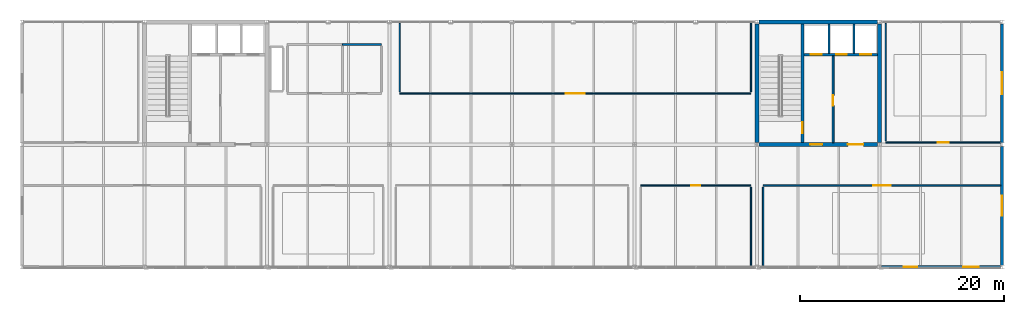
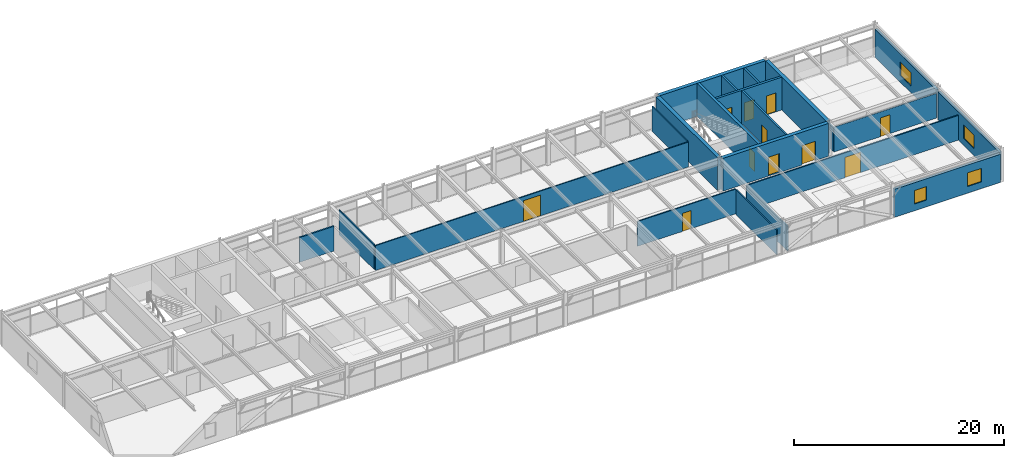
# One storey, part 37 of 40: 22 walls, 11 doors, 4 windows, 15 openings.
"""IFC4 building model written with IfcOpenShell, lengths in metres."""

from ifc_helpers import new_model, si_unit, direction, frame, frame_2d, origin, place, context, subcontext, project, spatial, rectangle, extrude, material, layer, layer_set, type_object, element, fill, save


model = new_model("IFC4")

# Units and contexts
model_context = context("Model", 3, precision=1e-05, world=origin(), true_north=direction((0.0, 1.0)))
body_context = subcontext(model_context, "Body", "Model", "MODEL_VIEW")
ifc_project = project(units=[si_unit("LENGTHUNIT", "METRE"), si_unit("AREAUNIT", "SQUARE_METRE"), si_unit("VOLUMEUNIT", "CUBIC_METRE"), si_unit("PLANEANGLEUNIT", "RADIAN"), si_unit("MASSUNIT", "GRAM", prefix="KILO")], contexts=[model_context])

# Site, building, storey
site_placement = place(None, origin())
site = spatial("IfcSite", under=ifc_project, at=site_placement, CompositionType="ELEMENT")
building_placement = place(site_placement, origin())
building = spatial("IfcBuilding", under=site, at=building_placement, Name="Girod Span Mobility Hub", CompositionType="ELEMENT")
storey_placement = place(building_placement, frame((0.0, 0.0, 53.60009765625)))
storey = spatial("IfcBuildingStorey", under=building, at=storey_placement, Name="L13", CompositionType="ELEMENT", Elevation=53.60009765625)

# Wall, openings, doors
ifc_material_1 = material(Name="Concrete C40/50", Category="concrete")
ifc_layer_1 = layer(ifc_material_1, 0.39990234375)
ifc_layer_set_1 = layer_set([ifc_layer_1], Name="Concrete C40/50")
wall_type_1 = type_object("IfcWallType", Name="W-CW-400", PredefinedType="SHEAR", material=ifc_layer_set_1)
wall_1_placement = place(storey_placement, frame((108.194091796875, 57.0, 0.0), z_axis=(0.0, 0.0, 1.0), x_axis=(1.0, 0.0, 0.0)))
wall_1 = element("IfcWall", 1, at=wall_1_placement, inside=storey, type_object=wall_type_1, Name="Core C2 Shear Wall S L13", PredefinedType="SHEAR", context=body_context, shape_type="SweptSolid", body=[
    extrude(rectangle(XDim=11.61181640625, YDim=0.39990234375, at=frame_2d((5.805908203125, 0.0))), origin(), (0.0, 0.0, 1.0), 3.81787109375),
])
opening_1_placement = place(wall_1_placement, frame((5.006103515625, 0.0, 0.0)))
opening_1 = element("IfcOpeningElement", 2, at=opening_1_placement, cuts=wall_1, Name="Opening D-FL-C2-L13", PredefinedType="OPENING", context=body_context, shape_type="SweptSolid", body=[
    extrude(rectangle(XDim=1.199951171875, YDim=2.199951171875, at=frame_2d((0.60009765625, 1.10009765625))), frame((0.0, 0.21484375, 0.0), z_axis=(0.0, -1.0, 0.0), x_axis=(1.0, 0.0, 0.0)), (0.0, 0.0, 1.0), 0.429931640625),
])
opening_2_placement = place(wall_1_placement, frame((8.7060546875, 0.0, 0.0)))
opening_2 = element("IfcOpeningElement", 3, at=opening_2_placement, cuts=wall_1, Name="Opening D-LB-C2-L13", PredefinedType="OPENING", context=body_context, shape_type="SweptSolid", body=[
    extrude(rectangle(XDim=1.5, YDim=2.25, at=frame_2d((0.75, 1.125))), frame((0.0, 0.21484375, 0.0), z_axis=(0.0, -1.0, 0.0), x_axis=(1.0, 0.0, 0.0)), (0.0, 0.0, 1.0), 0.429931640625),
])
ifc_material_2 = material(Name="Fire-Rated Insulated Hollow Metal Steel", Category="steel")
door_type_1 = type_object("IfcDoorType", Name="DT-FD-03", OperationType="DOUBLE_DOOR_SINGLE_SWING", PredefinedType="DOOR", material=ifc_material_2)
door_1_placement = place(opening_2_placement, origin())
door_1 = element("IfcDoor", 4, at=door_1_placement, inside=storey, type_object=door_type_1, Name="Lift Lobby Entry Door C2 L13", OperationType="DOUBLE_DOOR_SINGLE_SWING", OverallHeight=2.25, OverallWidth=1.5, PredefinedType="DOOR", context=body_context, shape_type="SweptSolid", body=[
    extrude(rectangle(XDim=1.5, YDim=2.25, at=frame_2d((0.75, 1.125))), frame((0.0, 0.02490234375, 0.0), z_axis=(0.0, -1.0, 0.0), x_axis=(1.0, 0.0, 0.0)), (0.0, 0.0, 1.0), 0.050048828125),
])
fill(opening_2, door_1)
ifc_material_3 = material(Name="Fire-Rated Insulated Hollow Metal Steel", Category="steel")
door_type_2 = type_object("IfcDoorType", Name="DT-FD-05", OperationType="NOTDEFINED", PredefinedType="DOOR", material=ifc_material_3)
door_2_placement = place(opening_1_placement, origin())
door_2 = element("IfcDoor", 5, at=door_2_placement, inside=storey, type_object=door_type_2, Name="Firefighting Lobby Entry Door C2 L13", OperationType="SINGLE_SWING_RIGHT", OverallHeight=2.199951171875, OverallWidth=1.199951171875, PredefinedType="DOOR", context=body_context, shape_type="SweptSolid", body=[
    extrude(rectangle(XDim=1.199951171875, YDim=2.199951171875, at=frame_2d((0.60009765625, 1.10009765625))), frame((0.0, 0.02490234375, 0.0), z_axis=(0.0, -1.0, 0.0), x_axis=(1.0, 0.0, 0.0)), (0.0, 0.0, 1.0), 0.050048828125),
])
fill(opening_1, door_2)

# Walls
wall_2_placement = place(storey_placement, frame((108.181396484375, 69.0, 0.0), z_axis=(0.0, 0.0, 1.0), x_axis=(1.0, 0.0, 0.0)))
element("IfcWall", 6, at=wall_2_placement, inside=storey, type_object=wall_type_1, Name="Core C2 Shear Wall N L13", PredefinedType="SHEAR", context=body_context, shape_type="SweptSolid", body=[
    extrude(rectangle(XDim=11.63720703125, YDim=0.39990234375, at=frame_2d((5.818603515625, 0.0))), origin(), (0.0, 0.0, 1.0), 3.81787109375),
])
for number, where, z_axis, x_axis, name in (
    (7, (108.0, 57.1845703125, 0.0), (0.0, 0.0, 1.0), (0.0, 1.0, 0.0), "Core C2 Shear Wall W L13"),
    (8, (120.0, 57.1845703125, 0.0), (0.0, 0.0, 1.0), (0.0, 1.0, 0.0), "Core C2 Shear Wall E L13"),
):
    element("IfcWall", number, at=place(storey_placement, frame(where, z_axis=z_axis, x_axis=x_axis)), inside=storey, type_object=wall_type_1, Name=name, PredefinedType="SHEAR", context=body_context, shape_type="SweptSolid", body=[
        extrude(rectangle(XDim=11.640380859375, YDim=0.39990234375, at=frame_2d((5.8203125, 0.0))), origin(), (0.0, 0.0, 1.0), 3.81787109375),
    ])

# Wall, openings, windows
ifc_material_4 = material(Name="Precast Architectural Concrete C40/50", Category="concrete")
ifc_layer_2 = layer(ifc_material_4, 0.27001953125)
ifc_layer_set_2 = layer_set([ifc_layer_2], Name="Precast Architectural Concrete C40/50")
wall_type_2 = type_object("IfcWallType", Name="W-EXT-270", PredefinedType="SOLIDWALL", material=ifc_layer_set_2)
wall_3_placement = place(storey_placement, frame((120.1826171875, 45.0, 0.0), z_axis=(0.0, 0.0, 1.0), x_axis=(1.0, 0.0, 0.0)))
wall_3 = element("IfcWall", 9, at=wall_3_placement, inside=storey, type_object=wall_type_2, Name="Office Insulated Facade Wall S-11 L13", PredefinedType="SOLIDWALL", context=body_context, shape_type="SweptSolid", body=[
    extrude(rectangle(XDim=11.634765625, YDim=0.27001953125, at=frame_2d((5.8173828125, 0.0))), origin(), (0.0, 0.0, 1.0), 3.27099609375),
])
opening_3_placement = place(wall_3_placement, frame((2.179931640625, 0.0, 0.780029296875)))
opening_3 = element("IfcOpeningElement", 10, at=opening_3_placement, cuts=wall_3, Name="Opening W-L13-S10A", PredefinedType="OPENING", context=body_context, shape_type="SweptSolid", body=[
    extrude(rectangle(XDim=1.340087890625, YDim=1.580078125, at=frame_2d((0.669921875, 0.7900390625))), frame((0.0, 0.14990234375, 0.0), z_axis=(0.0, -1.0, 0.0), x_axis=(1.0, 0.0, 0.0)), (0.0, 0.0, 1.0), 0.300048828125),
])
opening_4_placement = place(wall_3_placement, frame((8.034912109375, 0.0, 0.780029296875)))
opening_4 = element("IfcOpeningElement", 11, at=opening_4_placement, cuts=wall_3, Name="Opening W-L13-S10B", PredefinedType="OPENING", context=body_context, shape_type="SweptSolid", body=[
    extrude(rectangle(XDim=1.5, YDim=1.580078125, at=frame_2d((0.75, 0.7900390625))), frame((0.0, 0.14990234375, 0.0), z_axis=(0.0, -1.0, 0.0), x_axis=(1.0, 0.0, 0.0)), (0.0, 0.0, 1.0), 0.300048828125),
])
ifc_material_5 = material(Name="Double Low-E Insulated Glazing", Category="glass")
window_type_1 = type_object("IfcWindowType", Name="WN-22", PartitioningType="SINGLE_PANEL", PredefinedType="WINDOW", material=ifc_material_5)
window_1_placement = place(opening_3_placement, origin())
window_1 = element("IfcWindow", 12, at=window_1_placement, inside=storey, type_object=window_type_1, Name="Office Window WN-22", OverallHeight=1.580078125, OverallWidth=1.340087890625, PartitioningType="SINGLE_PANEL", PredefinedType="WINDOW", context=body_context, shape_type="SweptSolid", body=[
    extrude(rectangle(XDim=1.340087890625, YDim=1.580078125, at=frame_2d((0.669921875, 0.7900390625))), frame((0.0, 0.030029296875, 0.0), z_axis=(0.0, -1.0, 0.0), x_axis=(1.0, 0.0, 0.0)), (0.0, 0.0, 1.0), 0.06005859375),
])
fill(opening_3, window_1)
ifc_material_6 = material(Name="Double Low-E Insulated Glazing", Category="glass")
window_type_2 = type_object("IfcWindowType", Name="WN-23", PartitioningType="SINGLE_PANEL", PredefinedType="WINDOW", material=ifc_material_6)
window_2_placement = place(opening_4_placement, origin())
window_2 = element("IfcWindow", 13, at=window_2_placement, inside=storey, type_object=window_type_2, Name="Office Window WN-23", OverallHeight=1.580078125, OverallWidth=1.5, PartitioningType="SINGLE_PANEL", PredefinedType="WINDOW", context=body_context, shape_type="SweptSolid", body=[
    extrude(rectangle(XDim=1.5, YDim=1.580078125, at=frame_2d((0.75, 0.7900390625))), frame((0.0, 0.030029296875, 0.0), z_axis=(0.0, -1.0, 0.0), x_axis=(1.0, 0.0, 0.0)), (0.0, 0.0, 1.0), 0.06005859375),
])
fill(opening_4, window_2)

# Wall, opening, window
wall_4_placement = place(storey_placement, frame((132.0, 45.176025390625, 0.0), z_axis=(0.0, 0.0, 1.0), x_axis=(0.0, 1.0, 0.0)))
wall_4 = element("IfcWall", 14, at=wall_4_placement, inside=storey, type_object=wall_type_2, Name="End Facade Insulated Wall E-D L13", PredefinedType="SOLIDWALL", context=body_context, shape_type="SweptSolid", body=[
    extrude(rectangle(XDim=11.64794921875, YDim=0.27001953125, at=frame_2d((5.823974609375, 0.0))), origin(), (0.0, 0.0, 1.0), 3.27099609375),
])
opening_5_placement = place(wall_4_placement, frame((4.833984375, 0.0, 0.780029296875)))
opening_5 = element("IfcOpeningElement", 15, at=opening_5_placement, cuts=wall_4, Name="Opening W-L13-E3", PredefinedType="OPENING", context=body_context, shape_type="SweptSolid", body=[
    extrude(rectangle(XDim=1.97998046875, YDim=1.580078125, at=frame_2d((0.989990234375, 0.7900390625))), frame((0.0, 0.14990234375, 0.0), z_axis=(0.0, -1.0, 0.0), x_axis=(1.0, 0.0, 0.0)), (0.0, 0.0, 1.0), 0.300048828125),
])
ifc_material_7 = material(Name="Double Low-E Insulated Glazing", Category="glass")
window_type_3 = type_object("IfcWindowType", Name="WN-26", PartitioningType="DOUBLE_PANEL_VERTICAL", PredefinedType="WINDOW", material=ifc_material_7)
window_3_placement = place(opening_5_placement, origin())
window_3 = element("IfcWindow", 16, at=window_3_placement, inside=storey, type_object=window_type_3, Name="End Office Window WN-26", OverallHeight=1.580078125, OverallWidth=1.97998046875, PartitioningType="DOUBLE_PANEL_VERTICAL", PredefinedType="WINDOW", context=body_context, shape_type="SweptSolid", body=[
    extrude(rectangle(XDim=1.97998046875, YDim=1.580078125, at=frame_2d((0.989990234375, 0.7900390625))), frame((0.0, 0.030029296875, 0.0), z_axis=(0.0, -1.0, 0.0), x_axis=(1.0, 0.0, 0.0)), (0.0, 0.0, 1.0), 0.06005859375),
])
fill(opening_5, window_3)

wall_5_placement = place(storey_placement, frame((132.0, 57.176025390625, 0.0), z_axis=(0.0, 0.0, 1.0), x_axis=(0.0, 1.0, 0.0)))
wall_5 = element("IfcWall", 17, at=wall_5_placement, inside=storey, type_object=wall_type_2, Name="End Facade Insulated Wall E-E L13", PredefinedType="SOLIDWALL", context=body_context, shape_type="SweptSolid", body=[
    extrude(rectangle(XDim=11.64794921875, YDim=0.27001953125, at=frame_2d((5.823974609375, 0.0))), origin(), (0.0, 0.0, 1.0), 3.27099609375),
])
opening_6_placement = place(wall_5_placement, frame((4.75390625, 0.0, 0.780029296875)))
opening_6 = element("IfcOpeningElement", 18, at=opening_6_placement, cuts=wall_5, Name="Opening W-L13-E4", PredefinedType="OPENING", context=body_context, shape_type="SweptSolid", body=[
    extrude(rectangle(XDim=2.139892578125, YDim=1.580078125, at=frame_2d((1.06982421875, 0.7900390625))), frame((0.0, 0.14990234375, 0.0), z_axis=(0.0, -1.0, 0.0), x_axis=(1.0, 0.0, 0.0)), (0.0, 0.0, 1.0), 0.300048828125),
])
ifc_material_8 = material(Name="Double Low-E Insulated Glazing", Category="glass")
window_type_4 = type_object("IfcWindowType", Name="WN-27", PartitioningType="DOUBLE_PANEL_VERTICAL", PredefinedType="WINDOW", material=ifc_material_8)
window_4_placement = place(opening_6_placement, origin())
window_4 = element("IfcWindow", 19, at=window_4_placement, inside=storey, type_object=window_type_4, Name="End Office Window WN-27", OverallHeight=1.580078125, OverallWidth=2.139892578125, PartitioningType="DOUBLE_PANEL_VERTICAL", PredefinedType="WINDOW", context=body_context, shape_type="SweptSolid", body=[
    extrude(rectangle(XDim=2.139892578125, YDim=1.580078125, at=frame_2d((1.06982421875, 0.7900390625))), frame((0.0, 0.030029296875, 0.0), z_axis=(0.0, -1.0, 0.0), x_axis=(1.0, 0.0, 0.0)), (0.0, 0.0, 1.0), 0.06005859375),
])
fill(opening_6, window_4)

# Wall, opening, door
ifc_material_9 = material(Name="Concrete C40/50", Category="concrete")
ifc_layer_3 = layer(ifc_material_9, 0.18994140625)
ifc_layer_set_3 = layer_set([ifc_layer_3], Name="Concrete C40/50")
wall_type_3 = type_object("IfcWallType", Name="W-FL-190", PredefinedType="SOLIDWALL", material=ifc_layer_set_3)
wall_6_placement = place(storey_placement, frame((115.449951171875, 57.199951171875, 0.0), z_axis=(0.0, 0.0, 1.0), x_axis=(0.0, 1.0, 0.0)))
wall_6 = element("IfcWall", 20, at=wall_6_placement, inside=storey, type_object=wall_type_3, Name="Core C2 Firefighting Lobby Wall L13", PredefinedType="SOLIDWALL", context=body_context, shape_type="SweptSolid", body=[
    extrude(rectangle(XDim=8.47998046875, YDim=0.18994140625, at=frame_2d((4.239990234375, 0.0))), origin(), (0.0, 0.0, 1.0), 3.807861328125),
])
opening_7_placement = place(wall_6_placement, frame((3.60009765625, 0.0, 0.0)))
opening_7 = element("IfcOpeningElement", 21, at=opening_7_placement, cuts=wall_6, Name="Opening D-FLX-C2-L13", PredefinedType="OPENING", context=body_context, shape_type="SweptSolid", body=[
    extrude(rectangle(XDim=1.0400390625, YDim=2.179931640625, at=frame_2d((0.52001953125, 1.08984375))), frame((0.0, 0.10986328125, 0.0), z_axis=(0.0, -1.0, 0.0), x_axis=(1.0, 0.0, 0.0)), (0.0, 0.0, 1.0), 0.219970703125),
])
ifc_material_10 = material(Name="Fire-Rated Insulated Hollow Metal Steel", Category="steel")
door_type_3 = type_object("IfcDoorType", Name="DT-FD-02", OperationType="NOTDEFINED", PredefinedType="DOOR", material=ifc_material_10)
door_3_placement = place(opening_7_placement, origin())
door_3 = element("IfcDoor", 22, at=door_3_placement, inside=storey, type_object=door_type_3, Name="Firefighting Lobby Interconnect Door C2 L13", OperationType="SINGLE_SWING_RIGHT", OverallHeight=2.179931640625, OverallWidth=1.0400390625, PredefinedType="DOOR", context=body_context, shape_type="SweptSolid", body=[
    extrude(rectangle(XDim=1.0400390625, YDim=2.179931640625, at=frame_2d((0.52001953125, 1.08984375))), frame((0.0, 0.02490234375, 0.0), z_axis=(0.0, -1.0, 0.0), x_axis=(1.0, 0.0, 0.0)), (0.0, 0.0, 1.0), 0.050048828125),
])
fill(opening_7, door_3)

# Wall
ifc_material_11 = material(Name="Fire-Rated Gypsum Board on Metal Studs", Category="gypsum")
ifc_layer_4 = layer(ifc_material_11, 0.155029296875)
ifc_layer_set_4 = layer_set([ifc_layer_4], Name="Fire-Rated Gypsum Board on Metal Studs")
wall_type_4 = type_object("IfcWallType", Name="W-PLB-155", PredefinedType="PLUMBINGWALL", material=ifc_layer_set_4)
wall_7_placement = place(storey_placement, frame((67.39990234375, 66.800048828125, 0.0), z_axis=(0.0, 0.0, 1.0), x_axis=(1.0, 0.0, 0.0)))
element("IfcWall", 23, at=wall_7_placement, inside=storey, type_object=wall_type_4, Name="Accessible WC L13 Partition N", PredefinedType="PLUMBINGWALL", context=body_context, shape_type="SweptSolid", body=[
    extrude(rectangle(XDim=3.800048828125, YDim=0.155029296875, at=frame_2d((1.89990234375, 0.0))), origin(), (0.0, 0.0, 1.0), 2.8798828125),
])

# Wall, opening, door
ifc_material_12 = material(Name="Fire-Rated Gypsum Board on Metal Studs", Category="gypsum")
ifc_layer_5 = layer(ifc_material_12, 0.114990234375)
ifc_layer_set_5 = layer_set([ifc_layer_5], Name="Fire-Rated Gypsum Board on Metal Studs")
wall_type_5 = type_object("IfcWallType", Name="W-PT-115", PredefinedType="PARTITIONING", material=ifc_layer_set_5)
wall_8_placement = place(storey_placement, frame((73.0, 62.0, 0.0), z_axis=(0.0, 0.0, 1.0), x_axis=(1.0, 0.0, 0.0)))
wall_8 = element("IfcWall", 24, at=wall_8_placement, inside=storey, type_object=wall_type_5, Name="Open Office North L13 Partition S", PredefinedType="PARTITIONING", context=body_context, shape_type="SweptSolid", body=[
    extrude(rectangle(XDim=34.39990234375, YDim=0.114990234375, at=frame_2d((17.199951171875, 0.0))), origin(), (0.0, 0.0, 1.0), 2.8798828125),
])
opening_8_placement = place(wall_8_placement, frame((16.27001953125, 0.0, 0.0)))
opening_8 = element("IfcOpeningElement", 25, at=opening_8_placement, cuts=wall_8, Name="Opening D-L13-OFF-MNC", PredefinedType="OPENING", context=body_context, shape_type="SweptSolid", body=[
    extrude(rectangle(XDim=1.860107421875, YDim=2.409912109375, at=frame_2d((0.93017578125, 1.205078125))), frame((0.0, 0.072509765625, 0.0), z_axis=(0.0, -1.0, 0.0), x_axis=(1.0, 0.0, 0.0)), (0.0, 0.0, 1.0), 0.14501953125),
])
ifc_material_13 = material(Name="Solid-Core Architectural Timber", Category="wood")
door_type_4 = type_object("IfcDoorType", Name="DT-NR-19", OperationType="DOUBLE_DOOR_SINGLE_SWING", PredefinedType="DOOR", material=ifc_material_13)
door_4_placement = place(opening_8_placement, origin())
door_4 = element("IfcDoor", 26, at=door_4_placement, inside=storey, type_object=door_type_4, Name="Open Office North L13 Door", OperationType="DOUBLE_DOOR_SINGLE_SWING", OverallHeight=2.409912109375, OverallWidth=1.860107421875, PredefinedType="DOOR", context=body_context, shape_type="SweptSolid", body=[
    extrude(rectangle(XDim=1.860107421875, YDim=2.409912109375, at=frame_2d((0.93017578125, 1.205078125))), frame((0.0, 0.02490234375, 0.0), z_axis=(0.0, -1.0, 0.0), x_axis=(1.0, 0.0, 0.0)), (0.0, 0.0, 1.0), 0.050048828125),
])
fill(opening_8, door_4)

# Walls
for number, where, z_axis, x_axis, name in (
    (27, (73.0, 62.159912109375, 0.0), (0.0, 0.0, 1.0), (0.0, 1.0, 0.0), "Open Office North L13 Partition W"),
    (28, (107.39990234375, 62.159912109375, 0.0), (0.0, 0.0, 1.0), (0.0, 1.0, 0.0), "Open Office North L13 Partition E"),
):
    element("IfcWall", number, at=place(storey_placement, frame(where, z_axis=z_axis, x_axis=x_axis)), inside=storey, type_object=wall_type_5, Name=name, PredefinedType="PARTITIONING", context=body_context, shape_type="SweptSolid", body=[
        extrude(rectangle(XDim=6.7001953125, YDim=0.114990234375, at=frame_2d((3.35009765625, 0.0))), origin(), (0.0, 0.0, 1.0), 2.8798828125),
    ])

# Wall, opening, door
wall_9_placement = place(storey_placement, frame((120.60009765625, 57.199951171875, 0.0), z_axis=(0.0, 0.0, 1.0), x_axis=(1.0, 0.0, 0.0)))
wall_9 = element("IfcWall", 29, at=wall_9_placement, inside=storey, type_object=wall_type_5, Name="Planning Studio North East L13 Partition S", PredefinedType="PARTITIONING", context=body_context, shape_type="SweptSolid", body=[
    extrude(rectangle(XDim=11.260009765625, YDim=0.114990234375, at=frame_2d((5.6298828125, 0.0))), origin(), (0.0, 0.0, 1.0), 2.8798828125),
])
opening_9_placement = place(wall_9_placement, frame((5.094970703125, 0.0, 0.0)))
opening_9 = element("IfcOpeningElement", 30, at=opening_9_placement, cuts=wall_9, Name="Opening D-L13-OFF-MNE", PredefinedType="OPENING", context=body_context, shape_type="SweptSolid", body=[
    extrude(rectangle(XDim=1.070068359375, YDim=2.18994140625, at=frame_2d((0.53515625, 1.094970703125))), frame((0.0, 0.072509765625, 0.0), z_axis=(0.0, -1.0, 0.0), x_axis=(1.0, 0.0, 0.0)), (0.0, 0.0, 1.0), 0.14501953125),
])
ifc_material_14 = material(Name="Solid-Core Architectural Timber", Category="wood")
door_type_5 = type_object("IfcDoorType", Name="DT-NR-05", OperationType="NOTDEFINED", PredefinedType="DOOR", material=ifc_material_14)
door_5_placement = place(opening_9_placement, origin())
door_5 = element("IfcDoor", 31, at=door_5_placement, inside=storey, type_object=door_type_5, Name="Planning Studio North East L13 Door", OperationType="SINGLE_SWING_LEFT", OverallHeight=2.18994140625, OverallWidth=1.070068359375, PredefinedType="DOOR", context=body_context, shape_type="SweptSolid", body=[
    extrude(rectangle(XDim=1.070068359375, YDim=2.18994140625, at=frame_2d((0.53515625, 1.094970703125))), frame((0.0, 0.02490234375, 0.0), z_axis=(0.0, -1.0, 0.0), x_axis=(1.0, 0.0, 0.0)), (0.0, 0.0, 1.0), 0.050048828125),
])
fill(opening_9, door_5)

# Wall
wall_10_placement = place(storey_placement, frame((120.60009765625, 57.360107421875, 0.0), z_axis=(0.0, 0.0, 1.0), x_axis=(0.0, 1.0, 0.0)))
element("IfcWall", 32, at=wall_10_placement, inside=storey, type_object=wall_type_5, Name="Planning Studio North East L13 Partition W", PredefinedType="PARTITIONING", context=body_context, shape_type="SweptSolid", body=[
    extrude(rectangle(XDim=11.5, YDim=0.114990234375, at=frame_2d((5.75, 0.0))), origin(), (0.0, 0.0, 1.0), 2.8798828125),
])

# Wall, opening, door
ifc_material_15 = material(Name="Fire-Rated Gypsum Board on Metal Studs", Category="gypsum")
ifc_layer_6 = layer(ifc_material_15, 0.125)
ifc_layer_set_6 = layer_set([ifc_layer_6], Name="Fire-Rated Gypsum Board on Metal Studs")
wall_type_6 = type_object("IfcWallType", Name="W-PT-125", PredefinedType="PARTITIONING", material=ifc_layer_set_6)
wall_11_placement = place(storey_placement, frame((96.60009765625, 53.0, 0.0), z_axis=(0.0, 0.0, 1.0), x_axis=(1.0, 0.0, 0.0)))
wall_11 = element("IfcWall", 33, at=wall_11_placement, inside=storey, type_object=wall_type_6, Name="Office Suite Terrace Portal East L13 Partition N", PredefinedType="PARTITIONING", context=body_context, shape_type="SweptSolid", body=[
    extrude(rectangle(XDim=10.7998046875, YDim=0.125, at=frame_2d((5.39990234375, 0.0))), origin(), (0.0, 0.0, 1.0), 2.8798828125),
])
opening_10_placement = place(wall_11_placement, frame((4.93994140625, 0.0, 0.0)))
opening_10 = element("IfcOpeningElement", 34, at=opening_10_placement, cuts=wall_11, Name="Opening D-L13-TERR-LGE", PredefinedType="OPENING", context=body_context, shape_type="SweptSolid", body=[
    extrude(rectangle(XDim=0.919921875, YDim=2.10009765625, at=frame_2d((0.4599609375, 1.050048828125))), frame((0.0, 0.077392578125, 0.0), z_axis=(0.0, -1.0, 0.0), x_axis=(1.0, 0.0, 0.0)), (0.0, 0.0, 1.0), 0.155029296875),
])
ifc_material_16 = material(Name="Solid-Core Architectural Timber", Category="wood")
door_type_6 = type_object("IfcDoorType", Name="DT-NR-01", OperationType="NOTDEFINED", PredefinedType="DOOR", material=ifc_material_16)
door_6_placement = place(opening_10_placement, origin())
door_6 = element("IfcDoor", 35, at=door_6_placement, inside=storey, type_object=door_type_6, Name="Office Suite Terrace Portal East L13 Door", OperationType="SINGLE_SWING_LEFT", OverallHeight=2.10009765625, OverallWidth=0.919921875, PredefinedType="DOOR", context=body_context, shape_type="SweptSolid", body=[
    extrude(rectangle(XDim=0.919921875, YDim=2.10009765625, at=frame_2d((0.4599609375, 1.050048828125))), frame((0.0, 0.02490234375, 0.0), z_axis=(0.0, -1.0, 0.0), x_axis=(1.0, 0.0, 0.0)), (0.0, 0.0, 1.0), 0.050048828125),
])
fill(opening_10, door_6)

# Wall
wall_12_placement = place(storey_placement, frame((107.39990234375, 45.139892578125, 0.0), z_axis=(0.0, 0.0, 1.0), x_axis=(0.0, 1.0, 0.0)))
element("IfcWall", 36, at=wall_12_placement, inside=storey, type_object=wall_type_6, Name="Office Suite Terrace Portal East L13 Partition E", PredefinedType="PARTITIONING", context=body_context, shape_type="SweptSolid", body=[
    extrude(rectangle(XDim=7.7001953125, YDim=0.125, at=frame_2d((3.85009765625, 0.0))), origin(), (0.0, 0.0, 1.0), 2.8798828125),
])

# Wall, opening, door
ifc_material_17 = material(Name="Fire-Rated Gypsum Board on Metal Studs", Category="gypsum")
ifc_layer_7 = layer(ifc_material_17, 0.139892578125)
ifc_layer_set_7 = layer_set([ifc_layer_7], Name="Fire-Rated Gypsum Board on Metal Studs")
wall_type_7 = type_object("IfcWallType", Name="W-PT-140", PredefinedType="PARTITIONING", material=ifc_layer_set_7)
wall_13_placement = place(storey_placement, frame((108.60009765625, 53.0, 0.0), z_axis=(0.0, 0.0, 1.0), x_axis=(1.0, 0.0, 0.0)))
wall_13 = element("IfcWall", 37, at=wall_13_placement, inside=storey, type_object=wall_type_7, Name="Office Suite East L13 Partition N", PredefinedType="PARTITIONING", context=body_context, shape_type="SweptSolid", body=[
    extrude(rectangle(XDim=23.260009765625, YDim=0.139892578125, at=frame_2d((11.6298828125, 0.0))), origin(), (0.0, 0.0, 1.0), 2.8798828125),
])
opening_11_placement = place(wall_13_placement, frame((10.764892578125, 0.0, 0.0)))
opening_11 = element("IfcOpeningElement", 38, at=opening_11_placement, cuts=wall_13, Name="Opening D-L13-OFF-ME", PredefinedType="OPENING", context=body_context, shape_type="SweptSolid", body=[
    extrude(rectangle(XDim=1.72998046875, YDim=2.3701171875, at=frame_2d((0.864990234375, 1.18505859375))), frame((0.0, 0.0849609375, 0.0), z_axis=(0.0, -1.0, 0.0), x_axis=(1.0, 0.0, 0.0)), (0.0, 0.0, 1.0), 0.169921875),
])
ifc_material_18 = material(Name="Solid-Core Architectural Timber", Category="wood")
door_type_7 = type_object("IfcDoorType", Name="DT-NR-17", OperationType="DOUBLE_DOOR_SINGLE_SWING", PredefinedType="DOOR", material=ifc_material_18)
door_7_placement = place(opening_11_placement, origin())
door_7 = element("IfcDoor", 39, at=door_7_placement, inside=storey, type_object=door_type_7, Name="Office Suite East L13 Door", OperationType="DOUBLE_DOOR_SINGLE_SWING", OverallHeight=2.3701171875, OverallWidth=1.72998046875, PredefinedType="DOOR", context=body_context, shape_type="SweptSolid", body=[
    extrude(rectangle(XDim=1.72998046875, YDim=2.3701171875, at=frame_2d((0.864990234375, 1.18505859375))), frame((0.0, 0.02490234375, 0.0), z_axis=(0.0, -1.0, 0.0), x_axis=(1.0, 0.0, 0.0)), (0.0, 0.0, 1.0), 0.050048828125),
])
fill(opening_11, door_7)

# Walls
wall_14_placement = place(storey_placement, frame((108.60009765625, 45.139892578125, 0.0), z_axis=(0.0, 0.0, 1.0), x_axis=(0.0, 1.0, 0.0)))
element("IfcWall", 40, at=wall_14_placement, inside=storey, type_object=wall_type_7, Name="Office Suite East L13 Partition W", PredefinedType="PARTITIONING", context=body_context, shape_type="SweptSolid", body=[
    extrude(rectangle(XDim=7.7001953125, YDim=0.139892578125, at=frame_2d((3.85009765625, 0.0))), origin(), (0.0, 0.0, 1.0), 2.8798828125),
])
ifc_material_19 = material(Name="Concrete C40/50", Category="concrete")
ifc_layer_8 = layer(ifc_material_19, 0.199951171875)
ifc_layer_set_8 = layer_set([ifc_layer_8], Name="Concrete C40/50")
wall_type_8 = type_object("IfcWallType", Name="W-SH-200", PredefinedType="SOLIDWALL", material=ifc_layer_set_8)
for number, where, z_axis, x_axis, name in (
    (41, (115.050048828125, 65.919921875, 0.0), (0.0, 0.0, 1.0), (0.0, 1.0, 0.0), "Core C2 Shaft Divider 1 L13"),
    (42, (117.47998046875, 65.919921875, 0.0), (0.0, 0.0, 1.0), (0.0, 1.0, 0.0), "Core C2 Shaft Divider 2 L13"),
):
    element("IfcWall", number, at=place(storey_placement, frame(where, z_axis=z_axis, x_axis=x_axis)), inside=storey, type_object=wall_type_8, Name=name, PredefinedType="SOLIDWALL", context=body_context, shape_type="SweptSolid", body=[
        extrude(rectangle(XDim=2.880126953125, YDim=0.199951171875, at=frame_2d((1.43994140625, 0.0))), origin(), (0.0, 0.0, 1.0), 3.807861328125),
    ])

# Wall, openings, doors
ifc_material_20 = material(Name="Concrete C40/50", Category="concrete")
ifc_layer_9 = layer(ifc_material_20, 0.25)
ifc_layer_set_9 = layer_set([ifc_layer_9], Name="Concrete C40/50")
wall_type_9 = type_object("IfcWallType", Name="W-SH-250", PredefinedType="SOLIDWALL", material=ifc_layer_set_9)
wall_15_placement = place(storey_placement, frame((112.596923828125, 65.800048828125, 0.0), z_axis=(0.0, 0.0, 1.0), x_axis=(1.0, 0.0, 0.0)))
wall_15 = element("IfcWall", 43, at=wall_15_placement, inside=storey, type_object=wall_type_9, Name="Core C2 Hoistway Front Wall L13", PredefinedType="SOLIDWALL", context=body_context, shape_type="SweptSolid", body=[
    extrude(rectangle(XDim=7.2060546875, YDim=0.25, at=frame_2d((3.60302734375, 0.0))), origin(), (0.0, 0.0, 1.0), 3.81787109375),
])
opening_12_placement = place(wall_15_placement, frame((0.653076171875, 0.0, 0.0)))
opening_12 = element("IfcOpeningElement", 44, at=opening_12_placement, cuts=wall_15, Name="Opening LD-FL-2-L13", PredefinedType="OPENING", context=body_context, shape_type="SweptSolid", body=[
    extrude(rectangle(XDim=1.10009765625, YDim=2.239990234375, at=frame_2d((0.550048828125, 1.1201171875))), frame((0.0, 0.139892578125, 0.0), z_axis=(0.0, -1.0, 0.0), x_axis=(1.0, 0.0, 0.0)), (0.0, 0.0, 1.0), 0.280029296875),
])
opening_13_placement = place(wall_15_placement, frame((3.153076171875, 0.0, 0.0)))
opening_13 = element("IfcOpeningElement", 45, at=opening_13_placement, cuts=wall_15, Name="Opening LD-LP-3-L13", PredefinedType="OPENING", context=body_context, shape_type="SweptSolid", body=[
    extrude(rectangle(XDim=1.050048828125, YDim=2.199951171875, at=frame_2d((0.52490234375, 1.10009765625))), frame((0.0, 0.139892578125, 0.0), z_axis=(0.0, -1.0, 0.0), x_axis=(1.0, 0.0, 0.0)), (0.0, 0.0, 1.0), 0.280029296875),
])
opening_14_placement = place(wall_15_placement, frame((5.528076171875, 0.0, 0.0)))
opening_14 = element("IfcOpeningElement", 46, at=opening_14_placement, cuts=wall_15, Name="Opening LD-LP-4-L13", PredefinedType="OPENING", context=body_context, shape_type="SweptSolid", body=[
    extrude(rectangle(XDim=1.050048828125, YDim=2.199951171875, at=frame_2d((0.52490234375, 1.10009765625))), frame((0.0, 0.139892578125, 0.0), z_axis=(0.0, -1.0, 0.0), x_axis=(1.0, 0.0, 0.0)), (0.0, 0.0, 1.0), 0.280029296875),
])
ifc_material_21 = material(Name="Brushed Stainless Steel Grade 304", Category="steel")
door_type_8 = type_object("IfcDoorType", Name="LD-FL-110", OperationType="SLIDING_TO_LEFT", PredefinedType="USERDEFINED", material=ifc_material_21)
door_8_placement = place(opening_12_placement, origin())
door_8 = element("IfcDoor", 47, at=door_8_placement, inside=storey, type_object=door_type_8, Name="Lift FL-2 Sliding Landing Door L13", ObjectType="LANDING DOOR", OperationType="SLIDING_TO_LEFT", OverallHeight=2.239990234375, OverallWidth=1.10009765625, PredefinedType="USERDEFINED", context=body_context, shape_type="SweptSolid", body=[
    extrude(rectangle(XDim=1.10009765625, YDim=2.239990234375, at=frame_2d((0.550048828125, 1.1201171875))), frame((0.0, 0.02490234375, 0.0), z_axis=(0.0, -1.0, 0.0), x_axis=(1.0, 0.0, 0.0)), (0.0, 0.0, 1.0), 0.050048828125),
])
fill(opening_12, door_8)
ifc_material_22 = material(Name="Brushed Stainless Steel Grade 304", Category="steel")
door_type_9 = type_object("IfcDoorType", Name="LD-LP-105", OperationType="SLIDING_TO_LEFT", PredefinedType="USERDEFINED", material=ifc_material_22)
door_9_placement = place(opening_13_placement, origin())
door_9 = element("IfcDoor", 48, at=door_9_placement, inside=storey, type_object=door_type_9, Name="Lift LP-3 Sliding Landing Door L13", ObjectType="LANDING DOOR", OperationType="SLIDING_TO_LEFT", OverallHeight=2.199951171875, OverallWidth=1.050048828125, PredefinedType="USERDEFINED", context=body_context, shape_type="SweptSolid", body=[
    extrude(rectangle(XDim=1.050048828125, YDim=2.199951171875, at=frame_2d((0.52490234375, 1.10009765625))), frame((0.0, 0.02490234375, 0.0), z_axis=(0.0, -1.0, 0.0), x_axis=(1.0, 0.0, 0.0)), (0.0, 0.0, 1.0), 0.050048828125),
])
fill(opening_13, door_9)
door_10_placement = place(opening_14_placement, origin())
door_10 = element("IfcDoor", 49, at=door_10_placement, inside=storey, type_object=door_type_9, Name="Lift LP-4 Sliding Landing Door L13", ObjectType="LANDING DOOR", OperationType="SLIDING_TO_LEFT", OverallHeight=2.199951171875, OverallWidth=1.050048828125, PredefinedType="USERDEFINED", context=body_context, shape_type="SweptSolid", body=[
    extrude(rectangle(XDim=1.050048828125, YDim=2.199951171875, at=frame_2d((0.52490234375, 1.10009765625))), frame((0.0, 0.02490234375, 0.0), z_axis=(0.0, -1.0, 0.0), x_axis=(1.0, 0.0, 0.0)), (0.0, 0.0, 1.0), 0.050048828125),
])
fill(opening_14, door_10)

# Wall, opening, door
ifc_material_23 = material(Name="Concrete C40/50", Category="concrete")
ifc_layer_10 = layer(ifc_material_23, 0.300048828125)
ifc_layer_set_10 = layer_set([ifc_layer_10], Name="Concrete C40/50")
wall_type_10 = type_object("IfcWallType", Name="W-SH-300", PredefinedType="SHEAR", material=ifc_layer_set_10)
wall_16_placement = place(storey_placement, frame((112.449951171875, 57.197021484375, 0.0), z_axis=(0.0, 0.0, 1.0), x_axis=(0.0, 1.0, 0.0)))
wall_16 = element("IfcWall", 50, at=wall_16_placement, inside=storey, type_object=wall_type_10, Name="Core C2 Stairwell Spine Wall L13", PredefinedType="SHEAR", context=body_context, shape_type="SweptSolid", body=[
    extrude(rectangle(XDim=11.60595703125, YDim=0.300048828125, at=frame_2d((5.802978515625, 0.0))), origin(), (0.0, 0.0, 1.0), 3.81787109375),
])
opening_15_placement = place(wall_16_placement, frame((0.89990234375, 0.0, 0.0)))
opening_15 = element("IfcOpeningElement", 51, at=opening_15_placement, cuts=wall_16, Name="Opening D-ST-2-L13", PredefinedType="OPENING", context=body_context, shape_type="SweptSolid", body=[
    extrude(rectangle(XDim=1.10009765625, YDim=2.199951171875, at=frame_2d((0.550048828125, 1.10009765625))), frame((0.0, 0.1650390625, 0.0), z_axis=(0.0, -1.0, 0.0), x_axis=(1.0, 0.0, 0.0)), (0.0, 0.0, 1.0), 0.330078125),
])
ifc_material_24 = material(Name="Fire-Rated Insulated Hollow Metal Steel", Category="steel")
door_type_10 = type_object("IfcDoorType", Name="DT-FD-01", OperationType="NOTDEFINED", PredefinedType="DOOR", material=ifc_material_24)
door_11_placement = place(opening_15_placement, origin())
door_11 = element("IfcDoor", 52, at=door_11_placement, inside=storey, type_object=door_type_10, Name="Stair ST-2 Fire Door L13", OperationType="SINGLE_SWING_LEFT", OverallHeight=2.199951171875, OverallWidth=1.10009765625, PredefinedType="DOOR", context=body_context, shape_type="SweptSolid", body=[
    extrude(rectangle(XDim=1.10009765625, YDim=2.199951171875, at=frame_2d((0.550048828125, 1.10009765625))), frame((0.0, 0.02490234375, 0.0), z_axis=(0.0, -1.0, 0.0), x_axis=(1.0, 0.0, 0.0)), (0.0, 0.0, 1.0), 0.050048828125),
])
fill(opening_15, door_11)

save(model, "model.ifc")
